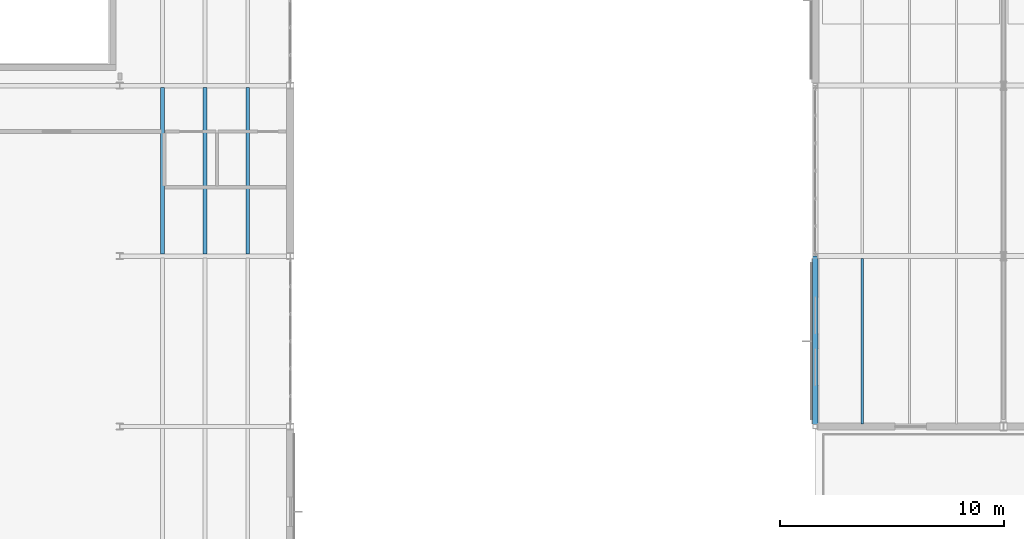
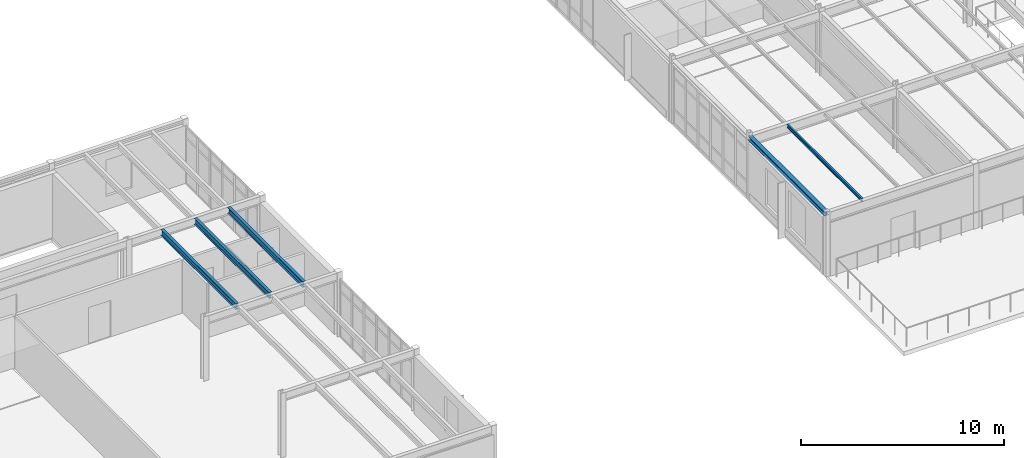
# One storey, part 35 of 114: 5 beams.
"""IFC4 building model written with IfcOpenShell, lengths in metres."""

from ifc_helpers import new_model, si_unit, direction, frame, origin, origin_2d, place, context, subcontext, project, spatial, i_section, extrude, material, material_profile, profile_set, type_object, element, save


model = new_model("IFC4")

# Units and contexts
model_context = context("Model", 3, precision=1e-05, world=origin(), true_north=direction((0.0, 1.0)))
body_context = subcontext(model_context, "Body", "Model", "MODEL_VIEW")
ifc_project = project(units=[si_unit("LENGTHUNIT", "METRE"), si_unit("AREAUNIT", "SQUARE_METRE"), si_unit("VOLUMEUNIT", "CUBIC_METRE"), si_unit("PLANEANGLEUNIT", "RADIAN"), si_unit("MASSUNIT", "GRAM", prefix="KILO")], contexts=[model_context])

# Site, building, storey
site_placement = place(None, origin())
site = spatial("IfcSite", under=ifc_project, at=site_placement, CompositionType="ELEMENT")
building_placement = place(site_placement, origin())
building = spatial("IfcBuilding", under=site, at=building_placement, Name="Montecoro Central Library", CompositionType="ELEMENT")
storey_placement = place(building_placement, frame((0.0, 0.0, 13.260009765625)))
storey = spatial("IfcBuildingStorey", under=building, at=storey_placement, Name="L03", CompositionType="ELEMENT", Elevation=13.260009765625)

# Beams
ifc_material = material(Name="Steel S355", Category="steel")
ifc_material_profile_1 = material_profile(ifc_material, i_section(OverallWidth=0.10009765625, OverallDepth=0.199951171875, WebThickness=0.005615234375, FlangeThickness=0.008544921875, at=origin_2d()), Name="IPE 200")
ifc_profile_set_1 = profile_set([ifc_material_profile_1], Name="Steel S355")
beam_type_1 = type_object("IfcBeamType", Name="BM-J-IPE200", PredefinedType="JOIST", material=ifc_profile_set_1)
beam_1_placement = place(storey_placement, frame((68.5, 88.70703125, 3.72509765625), z_axis=(0.0, 1.0, 0.0), x_axis=(-1.0, 0.0, 0.0)))
element("IfcBeam", 1, at=beam_1_placement, inside=storey, type_object=beam_type_1, Name="V2-L03-JS-910-MN-1", PredefinedType="JOIST", context=body_context, shape_type="SweptSolid", body=[
    extrude(i_section(OverallWidth=0.10009765625, OverallDepth=0.199951171875, WebThickness=0.005615234375, FlangeThickness=0.008544921875, at=origin_2d()), origin(), (0.0, 0.0, 1.0), 7.385986328125),
])
ifc_material_profile_2 = material_profile(ifc_material, i_section(OverallWidth=0.169921875, OverallDepth=0.360107421875, WebThickness=0.008056640625, FlangeThickness=0.0126953125, at=origin_2d()), Name="IPE 360")
ifc_profile_set_2 = profile_set([ifc_material_profile_2], Name="Steel S355")
beam_type_2 = type_object("IfcBeamType", Name="BM-J-IPE360", PredefinedType="JOIST", material=ifc_profile_set_2)
for number, where, z_axis, x_axis, name in (
    (2, (37.300048828125, 96.297119140625, 3.64501953125), (0.0, 1.0, 0.0), (-1.0, 0.0, 0.0), "V4-L03-JS-56-NP-1"),
    (3, (39.199951171875, 96.297119140625, 3.64501953125), (0.0, 1.0, 0.0), (-1.0, 0.0, 0.0), "V4-L03-JS-56-NP-2"),
    (4, (41.10009765625, 96.297119140625, 3.64501953125), (0.0, 1.0, 0.0), (-1.0, 0.0, 0.0), "V4-L03-JS-56-NP-3"),
):
    element("IfcBeam", number, at=place(storey_placement, frame(where, z_axis=z_axis, x_axis=x_axis)), inside=storey, type_object=beam_type_2, Name=name, PredefinedType="JOIST", context=body_context, shape_type="SweptSolid", body=[
        extrude(i_section(OverallWidth=0.169921875, OverallDepth=0.360107421875, WebThickness=0.008056640625, FlangeThickness=0.0126953125, at=origin_2d()), origin(), (0.0, 0.0, 1.0), 7.40576171875),
    ])
ifc_material_profile_3 = material_profile(ifc_material, i_section(OverallWidth=0.239990234375, OverallDepth=0.22998046875, WebThickness=0.007568359375, FlangeThickness=0.011962890625, at=origin_2d()), Name="HEA 240")
ifc_profile_set_3 = profile_set([ifc_material_profile_3], Name="Steel S355")
beam_type_3 = type_object("IfcBeamType", Name="BM-SP-HEA240", PredefinedType="SPANDREL", material=ifc_profile_set_3)
beam_2_placement = place(storey_placement, frame((66.39990234375, 88.60498046875, 3.7099609375), z_axis=(0.0, 1.0, 0.0), x_axis=(-1.0, 0.0, 0.0)))
element("IfcBeam", 5, at=beam_2_placement, inside=storey, type_object=beam_type_3, Name="V2-L03-BY-9-MN", PredefinedType="SPANDREL", context=body_context, shape_type="SweptSolid", body=[
    extrude(i_section(OverallWidth=0.239990234375, OverallDepth=0.22998046875, WebThickness=0.007568359375, FlangeThickness=0.011962890625, at=origin_2d()), origin(), (0.0, 0.0, 1.0), 7.590087890625),
])

save(model, "model.ifc")
